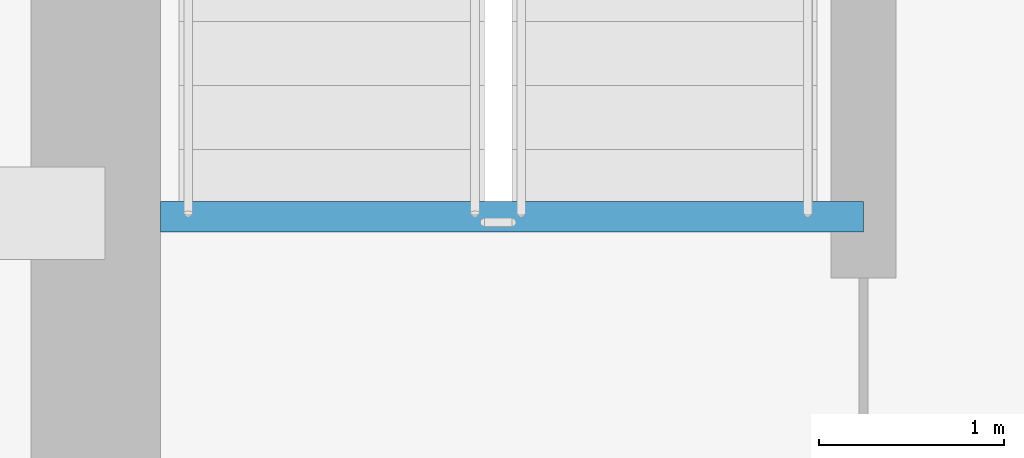
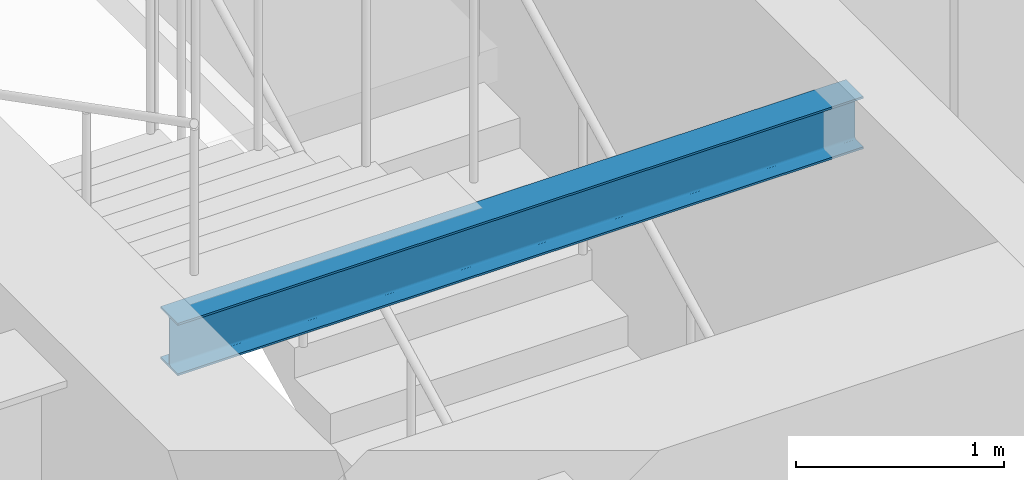
# One storey, part 23 of 37: 1 beam.
"""IFC4 building model written with IfcOpenShell, lengths in metres."""

from ifc_helpers import new_model, si_unit, direction, frame, origin, origin_2d, place, context, subcontext, project, spatial, i_section, extrude, source, transform, mapped, material, material_profile, profile_set, type_object, type_shapes, element, save


model = new_model("IFC4")

# Units and contexts
model_context = context("Model", 3, precision=1e-05, world=origin(), true_north=direction((0.0, 1.0)))
body_context = subcontext(model_context, "Body", "Model", "MODEL_VIEW")
ifc_project = project(units=[si_unit("LENGTHUNIT", "METRE"), si_unit("AREAUNIT", "SQUARE_METRE"), si_unit("VOLUMEUNIT", "CUBIC_METRE"), si_unit("PLANEANGLEUNIT", "RADIAN"), si_unit("MASSUNIT", "GRAM", prefix="KILO")], contexts=[model_context])

# Site, building, storey
site_placement = place(None, origin())
site = spatial("IfcSite", under=ifc_project, at=site_placement, CompositionType="ELEMENT")
building_placement = place(site_placement, origin())
building = spatial("IfcBuilding", under=site, at=building_placement, Name="Tolvann Quenvar Hotel", CompositionType="ELEMENT")
storey_placement = place(building_placement, frame((0.0, 0.0, 104.449951171875)))
storey = spatial("IfcBuildingStorey", under=building, at=storey_placement, Name="L26", CompositionType="ELEMENT", Elevation=104.449951171875)

# Beam
ifc_material = material(Name="Steel Grade 350", Category="steel")
ifc_material_profile = material_profile(ifc_material, i_section(OverallWidth=0.166015625, OverallDepth=0.306884765625, WebThickness=0.006591796875, FlangeThickness=0.01171875, FilletRadius=0.011474609375, at=origin_2d()), Name="310UB46")
ifc_profile_set = profile_set([ifc_material_profile], Name="Steel Grade 350")
beam_type = type_object("IfcBeamType", Name="BM_JOIST_310UB46", PredefinedType="JOIST", material=ifc_profile_set)
shared_shape = source(origin(), body_context, "Body", "SweptSolid", [
    extrude(i_section(OverallWidth=0.166015625, OverallDepth=0.306884765625, WebThickness=0.006591796875, FlangeThickness=0.01171875, FilletRadius=0.011474609375, at=origin_2d()), origin(), (0.0, 0.0, 1.0), 3.800048828125),
])
type_shapes(beam_type, [shared_shape])
beam_placement = place(storey_placement, frame((10.5, 33.97998046875, 3.216552734375), z_axis=(1.0, 0.0, 0.0), x_axis=(0.0, 1.0, 0.0)))
element("IfcBeam", 1, at=beam_placement, inside=storey, type_object=beam_type, Name="BM-HDR-STC1-L27", PredefinedType="JOIST", context=body_context, shape_type="MappedRepresentation", body=[
    mapped(shared_shape, transform((0.0, 0.0, 0.0), x_axis=(1.0, 0.0, 0.0), y_axis=(0.0, 1.0, 0.0), z_axis=(0.0, 0.0, 1.0), scale=1.0)),
])

save(model, "model.ifc")
